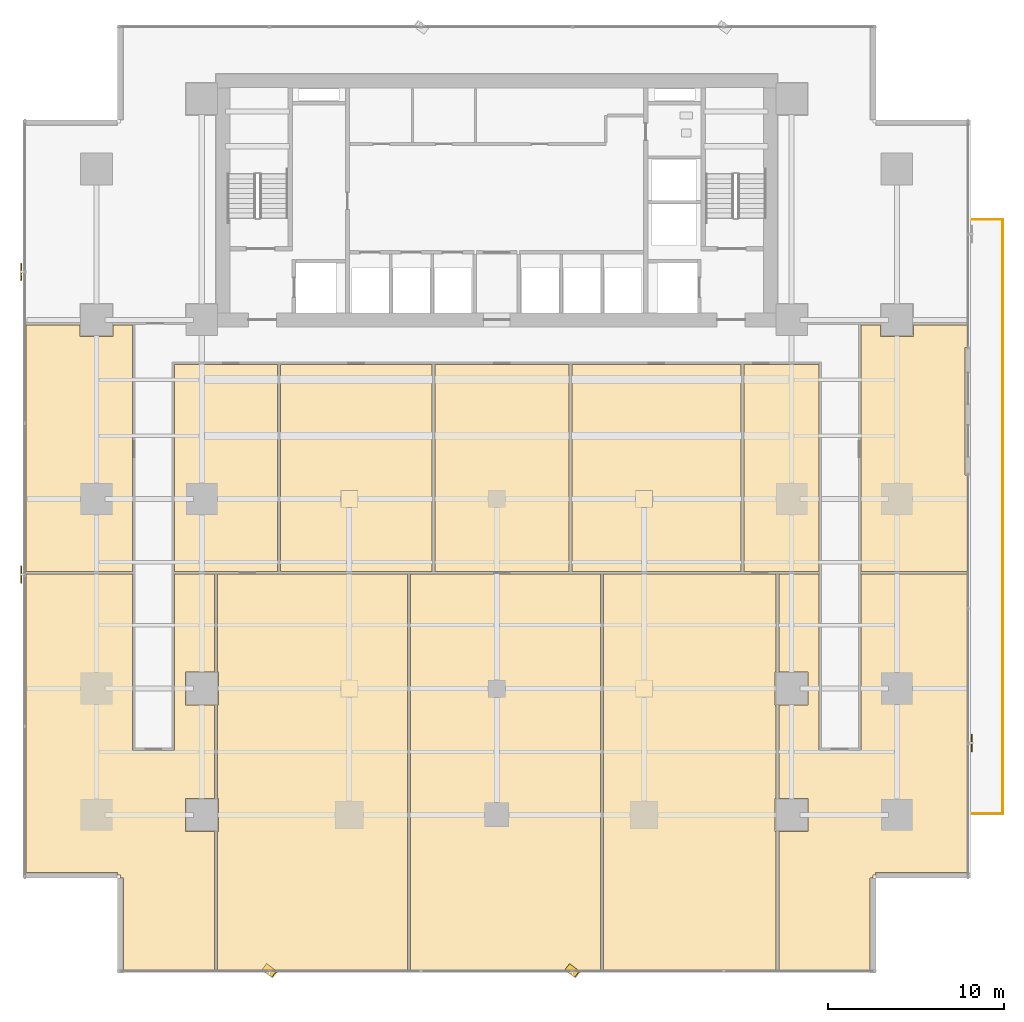
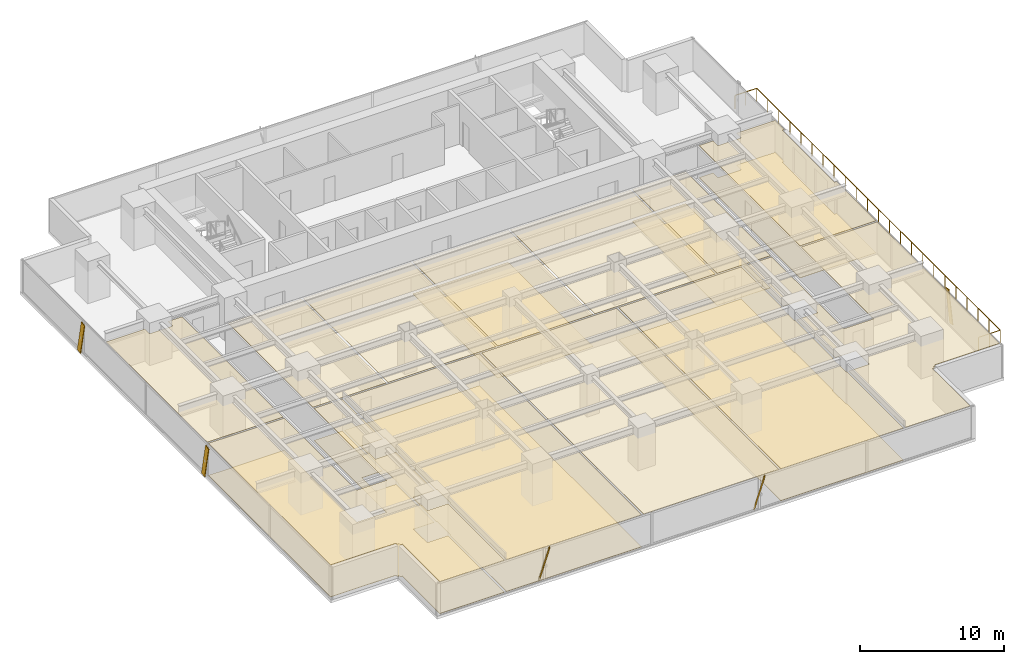
# One storey, part 29 of 33: 18 coverings, 5 shading devices, 1 railing.
"""IFC4 building model written with IfcOpenShell, lengths in metres."""

from ifc_helpers import new_model, si_unit, direction, frame, origin, origin_2d, place, context, subcontext, project, spatial, polyline, rectangle, outline, extrude, source, transform, mapped, material, layer, layer_set, material_profile, profile_set, type_object, element, save


model = new_model("IFC4")

# Units and contexts
model_context = context("Model", 3, precision=1e-05, world=origin(), true_north=direction((0.0, 1.0)))
body_context = subcontext(model_context, "Body", "Model", "MODEL_VIEW")
ifc_project = project(units=[si_unit("LENGTHUNIT", "METRE"), si_unit("AREAUNIT", "SQUARE_METRE"), si_unit("VOLUMEUNIT", "CUBIC_METRE"), si_unit("PLANEANGLEUNIT", "RADIAN"), si_unit("MASSUNIT", "GRAM", prefix="KILO")], contexts=[model_context])

# Site, building, storey
site_placement = place(None, origin())
site = spatial("IfcSite", under=ifc_project, at=site_placement, CompositionType="ELEMENT")
building_placement = place(site_placement, origin())
building = spatial("IfcBuilding", under=site, at=building_placement, Name="Sumidabori Civic Tower", CompositionType="ELEMENT")
storey_placement = place(building_placement, frame((0.0, 0.0, 23.60009765625)))
storey = spatial("IfcBuildingStorey", under=building, at=storey_placement, Name="L05", CompositionType="ELEMENT", Elevation=23.60009765625)

# Coverings
ifc_material_1 = material(Name="Acoustic Mineral Gypsum Ceiling Tile")
ifc_layer_1 = layer(ifc_material_1, 0.034912109375, Name="Acoustic Mineral Gypsum Ceiling Tile")
ifc_layer_set_1 = layer_set([ifc_layer_1], Name="Acoustic Mineral Gypsum Ceiling Tile")
covering_type_1 = type_object("IfcCoveringType", Name="CV-CEIL-AC1", PredefinedType="CEILING", material=ifc_layer_set_1)
covering_1_placement = place(storey_placement, frame((0.0, 0.0, 2.7099609375)))
element("IfcCovering", 1, at=covering_1_placement, inside=storey, type_object=covering_type_1, Name="Room Acoustic Ceiling L05-02", PredefinedType="CEILING", context=body_context, shape_type="SweptSolid", body=[
    extrude(outline(polyline([(-26.830078125, -4.1201171875), (-26.830078125, 9.919921875), (-23.739990234375, 9.919921875), (-23.739990234375, 9.260009765625), (-21.860107421875, 9.260009765625), (-21.860107421875, 9.919921875), (-20.739990234375, 9.919921875), (-20.739990234375, -4.1201171875), (-26.830078125, -4.1201171875)])), origin(), (0.0, 0.0, 1.0), 0.034912109375),
])
covering_2_placement = place(storey_placement, frame((0.0, 0.0, 2.7099609375)))
element("IfcCovering", 2, at=covering_2_placement, inside=storey, type_object=covering_type_1, Name="Room Acoustic Ceiling L05-03", PredefinedType="CEILING", context=body_context, shape_type="SweptSolid", body=[
    extrude(outline(polyline([(20.739990234375, 9.919921875), (21.860107421875, 9.919921875), (21.860107421875, 9.260009765625), (23.739990234375, 9.260009765625), (23.739990234375, 9.919921875), (26.830078125, 9.919921875), (26.830078125, 8.6279296875), (26.672119140625, 8.6279296875), (26.672119140625, 1.3720703125), (26.830078125, 1.3720703125), (26.830078125, -4.1201171875), (20.739990234375, -4.1201171875), (20.739990234375, 9.919921875)])), origin(), (0.0, 0.0, 1.0), 0.034912109375),
])
covering_3_placement = place(storey_placement, frame((0.0, 0.0, 2.7099609375)))
element("IfcCovering", 3, at=covering_3_placement, inside=storey, type_object=covering_type_1, Name="Room Acoustic Ceiling L05-04", PredefinedType="CEILING", context=body_context, shape_type="SweptSolid", body=[
    extrude(outline(polyline([(-18.360107421875, 7.659912109375), (-12.47998046875, 7.659912109375), (-12.47998046875, -4.1201171875), (-18.360107421875, -4.1201171875), (-18.360107421875, 7.659912109375)])), origin(), (0.0, 0.0, 1.0), 0.034912109375),
])
covering_4_placement = place(storey_placement, frame((0.0, 0.0, 2.7099609375)))
element("IfcCovering", 4, at=covering_4_placement, inside=storey, type_object=covering_type_1, Name="Room Acoustic Ceiling L05-05", PredefinedType="CEILING", context=body_context, shape_type="SweptSolid", body=[
    extrude(outline(polyline([(14.080078125, 7.659912109375), (18.360107421875, 7.659912109375), (18.360107421875, -4.1201171875), (14.080078125, -4.1201171875), (14.080078125, 7.659912109375)])), origin(), (0.0, 0.0, 1.0), 0.034912109375),
])
covering_5_placement = place(storey_placement, frame((0.0, 0.0, 2.7099609375)))
element("IfcCovering", 5, at=covering_5_placement, inside=storey, type_object=covering_type_1, Name="Room Acoustic Ceiling L05-06", PredefinedType="CEILING", context=body_context, shape_type="SweptSolid", body=[
    extrude(outline(polyline([(-12.320068359375, 7.659912109375), (-3.679931640625, 7.659912109375), (-3.679931640625, -4.1201171875), (-12.320068359375, -4.1201171875), (-12.320068359375, 7.659912109375)])), origin(), (0.0, 0.0, 1.0), 0.034912109375),
])
covering_6_placement = place(storey_placement, frame((0.0, 0.0, 2.7099609375)))
element("IfcCovering", 6, at=covering_6_placement, inside=storey, type_object=covering_type_1, Name="Room Acoustic Ceiling L05-07", PredefinedType="CEILING", context=body_context, shape_type="SweptSolid", body=[
    extrude(outline(polyline([(-3.52001953125, 7.659912109375), (4.1201171875, 7.659912109375), (4.1201171875, -4.1201171875), (-3.52001953125, -4.1201171875), (-3.52001953125, 7.659912109375)])), origin(), (0.0, 0.0, 1.0), 0.034912109375),
])
covering_7_placement = place(storey_placement, frame((0.0, 0.0, 2.7099609375)))
element("IfcCovering", 7, at=covering_7_placement, inside=storey, type_object=covering_type_1, Name="Room Acoustic Ceiling L05-08", PredefinedType="CEILING", context=body_context, shape_type="SweptSolid", body=[
    extrude(outline(polyline([(4.280029296875, 7.659912109375), (13.919921875, 7.659912109375), (13.919921875, -4.1201171875), (4.280029296875, -4.1201171875), (4.280029296875, 7.659912109375)])), origin(), (0.0, 0.0, 1.0), 0.034912109375),
])
covering_8_placement = place(storey_placement, frame((0.0, 0.0, 2.7099609375)))
element("IfcCovering", 8, at=covering_8_placement, inside=storey, type_object=covering_type_1, Name="Room Acoustic Ceiling L05-09", PredefinedType="CEILING", context=body_context, shape_type="SweptSolid", body=[
    extrude(outline(polyline([(-26.830078125, -21.27197265625), (-26.830078125, -4.280029296875), (-20.739990234375, -4.280029296875), (-20.739990234375, -14.33251953125), (-20.724609375, -14.340087890625), (-18.360107421875, -14.340087890625), (-18.360107421875, -4.280029296875), (-16.080078125, -4.280029296875), (-16.080078125, -9.860107421875), (-17.739990234375, -9.860107421875), (-17.739990234375, -11.739990234375), (-16.080078125, -11.739990234375), (-16.080078125, -17.06005859375), (-17.739990234375, -17.06005859375), (-17.739990234375, -18.93994140625), (-16.080078125, -18.93994140625), (-16.080078125, -26.830078125), (-21.27197265625, -26.830078125), (-21.27197265625, -21.592041015625), (-21.429931640625, -21.592041015625), (-21.429931640625, -21.429931640625), (-21.592041015625, -21.429931640625), (-21.592041015625, -21.27197265625), (-26.830078125, -21.27197265625)])), origin(), (0.0, 0.0, 1.0), 0.034912109375),
])
covering_9_placement = place(storey_placement, frame((0.0, 0.0, 2.7099609375)))
element("IfcCovering", 9, at=covering_9_placement, inside=storey, type_object=covering_type_1, Name="Room Acoustic Ceiling L05-10", PredefinedType="CEILING", context=body_context, shape_type="SweptSolid", body=[
    extrude(outline(polyline([(18.360107421875, -14.340087890625), (20.724609375, -14.340087890625), (20.739990234375, -14.33251953125), (20.739990234375, -4.280029296875), (26.830078125, -4.280029296875), (26.830078125, -21.27197265625), (21.592041015625, -21.27197265625), (21.592041015625, -21.429931640625), (21.429931640625, -21.429931640625), (21.429931640625, -21.592041015625), (21.27197265625, -21.592041015625), (21.27197265625, -26.830078125), (16.080078125, -26.830078125), (16.080078125, -18.93994140625), (17.739990234375, -18.93994140625), (17.739990234375, -17.06005859375), (16.080078125, -17.06005859375), (16.080078125, -11.739990234375), (17.739990234375, -11.739990234375), (17.739990234375, -9.860107421875), (16.080078125, -9.860107421875), (16.080078125, -4.280029296875), (18.360107421875, -4.280029296875), (18.360107421875, -14.340087890625)])), origin(), (0.0, 0.0, 1.0), 0.034912109375),
])
covering_10_placement = place(storey_placement, frame((0.0, 0.0, 2.7099609375)))
element("IfcCovering", 10, at=covering_10_placement, inside=storey, type_object=covering_type_1, Name="Room Acoustic Ceiling L05-11", PredefinedType="CEILING", context=body_context, shape_type="SweptSolid", body=[
    extrude(outline(polyline([(-15.860107421875, -17.06005859375), (-15.919921875, -17.06005859375), (-15.919921875, -11.739990234375), (-15.860107421875, -11.739990234375), (-15.860107421875, -9.860107421875), (-15.919921875, -9.860107421875), (-15.919921875, -4.280029296875), (-5.080078125, -4.280029296875), (-5.080078125, -26.830078125), (-15.919921875, -26.830078125), (-15.919921875, -18.93994140625), (-15.860107421875, -18.93994140625), (-15.860107421875, -17.06005859375)])), origin(), (0.0, 0.0, 1.0), 0.034912109375),
])
covering_11_placement = place(storey_placement, frame((0.0, 0.0, 2.7099609375)))
element("IfcCovering", 11, at=covering_11_placement, inside=storey, type_object=covering_type_1, Name="Room Acoustic Ceiling L05-12", PredefinedType="CEILING", context=body_context, shape_type="SweptSolid", body=[
    extrude(outline(polyline([(5.919921875, -26.830078125), (-4.919921875, -26.830078125), (-4.919921875, -4.280029296875), (5.919921875, -4.280029296875), (5.919921875, -26.830078125)])), origin(), (0.0, 0.0, 1.0), 0.034912109375),
])
covering_12_placement = place(storey_placement, frame((0.0, 0.0, 2.7099609375)))
element("IfcCovering", 12, at=covering_12_placement, inside=storey, type_object=covering_type_1, Name="Room Acoustic Ceiling L05-13", PredefinedType="CEILING", context=body_context, shape_type="SweptSolid", body=[
    extrude(outline(polyline([(15.919921875, -18.93994140625), (15.919921875, -26.830078125), (6.080078125, -26.830078125), (6.080078125, -4.280029296875), (15.919921875, -4.280029296875), (15.919921875, -9.860107421875), (15.860107421875, -9.860107421875), (15.860107421875, -11.739990234375), (15.919921875, -11.739990234375), (15.919921875, -17.06005859375), (15.860107421875, -17.06005859375), (15.860107421875, -18.93994140625), (15.919921875, -18.93994140625)])), origin(), (0.0, 0.0, 1.0), 0.034912109375),
])
ifc_material_2 = material(Name="Honed Terrazzo Tile Flooring")
ifc_layer_2 = layer(ifc_material_2, 0.030029296875, Name="Honed Terrazzo Tile Flooring")
ifc_layer_set_2 = layer_set([ifc_layer_2], Name="Honed Terrazzo Tile Flooring")
covering_type_2 = type_object("IfcCoveringType", Name="CV-FLR-TER", PredefinedType="FLOORING", material=ifc_layer_set_2)
covering_13_placement = place(storey_placement, origin())
element("IfcCovering", 13, at=covering_13_placement, inside=storey, type_object=covering_type_2, Name="Room Terrazzo Floor L05-03", PredefinedType="FLOORING", context=body_context, shape_type="SweptSolid", body=[
    extrude(outline(polyline([(20.739990234375, 9.919921875), (21.860107421875, 9.919921875), (21.860107421875, 9.260009765625), (23.739990234375, 9.260009765625), (23.739990234375, 9.919921875), (26.830078125, 9.919921875), (26.830078125, 8.6279296875), (26.672119140625, 8.6279296875), (26.672119140625, 1.3720703125), (26.830078125, 1.3720703125), (26.830078125, -4.1201171875), (20.739990234375, -4.1201171875), (20.739990234375, 9.919921875)])), origin(), (0.0, 0.0, 1.0), 0.02978515625),
])
covering_14_placement = place(storey_placement, origin())
element("IfcCovering", 14, at=covering_14_placement, inside=storey, type_object=covering_type_2, Name="Room Terrazzo Floor L05-05", PredefinedType="FLOORING", context=body_context, shape_type="SweptSolid", body=[
    extrude(outline(polyline([(14.080078125, 7.659912109375), (18.360107421875, 7.659912109375), (18.360107421875, -4.1201171875), (14.080078125, -4.1201171875), (14.080078125, 7.659912109375)])), origin(), (0.0, 0.0, 1.0), 0.02978515625),
])
covering_15_placement = place(storey_placement, origin())
element("IfcCovering", 15, at=covering_15_placement, inside=storey, type_object=covering_type_2, Name="Room Terrazzo Floor L05-07", PredefinedType="FLOORING", context=body_context, shape_type="SweptSolid", body=[
    extrude(outline(polyline([(-3.52001953125, 7.659912109375), (4.1201171875, 7.659912109375), (4.1201171875, -4.1201171875), (-3.52001953125, -4.1201171875), (-3.52001953125, 7.659912109375)])), origin(), (0.0, 0.0, 1.0), 0.02978515625),
])
covering_16_placement = place(storey_placement, origin())
element("IfcCovering", 16, at=covering_16_placement, inside=storey, type_object=covering_type_2, Name="Room Terrazzo Floor L05-09", PredefinedType="FLOORING", context=body_context, shape_type="SweptSolid", body=[
    extrude(outline(polyline([(-26.830078125, -21.27197265625), (-26.830078125, -4.280029296875), (-20.739990234375, -4.280029296875), (-20.739990234375, -14.33251953125), (-20.724609375, -14.340087890625), (-18.360107421875, -14.340087890625), (-18.360107421875, -4.280029296875), (-16.080078125, -4.280029296875), (-16.080078125, -9.860107421875), (-17.739990234375, -9.860107421875), (-17.739990234375, -11.739990234375), (-16.080078125, -11.739990234375), (-16.080078125, -17.06005859375), (-17.739990234375, -17.06005859375), (-17.739990234375, -18.93994140625), (-16.080078125, -18.93994140625), (-16.080078125, -26.830078125), (-21.27197265625, -26.830078125), (-21.27197265625, -21.592041015625), (-21.429931640625, -21.592041015625), (-21.429931640625, -21.429931640625), (-21.592041015625, -21.429931640625), (-21.592041015625, -21.27197265625), (-26.830078125, -21.27197265625)])), origin(), (0.0, 0.0, 1.0), 0.02978515625),
])
covering_17_placement = place(storey_placement, origin())
element("IfcCovering", 17, at=covering_17_placement, inside=storey, type_object=covering_type_2, Name="Room Terrazzo Floor L05-11", PredefinedType="FLOORING", context=body_context, shape_type="SweptSolid", body=[
    extrude(outline(polyline([(-15.860107421875, -17.06005859375), (-15.919921875, -17.06005859375), (-15.919921875, -11.739990234375), (-15.860107421875, -11.739990234375), (-15.860107421875, -9.860107421875), (-15.919921875, -9.860107421875), (-15.919921875, -4.280029296875), (-5.080078125, -4.280029296875), (-5.080078125, -26.830078125), (-15.919921875, -26.830078125), (-15.919921875, -18.93994140625), (-15.860107421875, -18.93994140625), (-15.860107421875, -17.06005859375)])), origin(), (0.0, 0.0, 1.0), 0.02978515625),
])
covering_18_placement = place(storey_placement, origin())
element("IfcCovering", 18, at=covering_18_placement, inside=storey, type_object=covering_type_2, Name="Room Terrazzo Floor L05-13", PredefinedType="FLOORING", context=body_context, shape_type="SweptSolid", body=[
    extrude(outline(polyline([(15.919921875, -18.93994140625), (15.919921875, -26.830078125), (6.080078125, -26.830078125), (6.080078125, -4.280029296875), (15.919921875, -4.280029296875), (15.919921875, -9.860107421875), (15.860107421875, -9.860107421875), (15.860107421875, -11.739990234375), (15.919921875, -11.739990234375), (15.919921875, -17.06005859375), (15.860107421875, -17.06005859375), (15.860107421875, -18.93994140625), (15.919921875, -18.93994140625)])), origin(), (0.0, 0.0, 1.0), 0.02978515625),
])

# Railing
ifc_material_3 = material(Name="Anodised Bronze Aluminium AW-6063-T6", Category="aluminium")
railing_type = type_object("IfcRailingType", Name="RL-BAL-1150", PredefinedType="BALUSTRADE", material=ifc_material_3)
railing_placement = place(storey_placement, frame((27.080078125, -17.919921875, 0.0)))
element("IfcRailing", 19, at=railing_placement, inside=storey, type_object=railing_type, Name="L05 Setback Terrace Balustrade", PredefinedType="BALUSTRADE", context=body_context, shape_type="SweptSolid", body=[
    extrude(rectangle(XDim=0.048095703125, YDim=0.048095703125, at=origin_2d()), frame((0.0, 0.0, 1.1259765625), z_axis=(1.0, 0.0, 0.0), x_axis=(0.0, 1.0, 0.0)), (0.0, 0.0, 1.0), 1.739990234375),
    extrude(rectangle(XDim=0.048095703125, YDim=0.048095703125, at=origin_2d()), frame((1.739990234375, 0.0, 1.1259765625), z_axis=(0.0, 1.0, 0.0), x_axis=(-1.0, 0.0, 0.0)), (0.0, 0.0, 1.0), 33.83984375),
    extrude(rectangle(XDim=0.048095703125, YDim=0.048095703125, at=origin_2d()), frame((1.739990234375, 33.83984375, 1.1259765625), z_axis=(-1.0, 0.0, 0.0), x_axis=(0.0, -1.0, 0.0)), (0.0, 0.0, 1.0), 1.739990234375),
    extrude(rectangle(XDim=0.0419921875, YDim=0.0419921875, at=origin_2d()), origin(), (0.0, 0.0, 1.0), 1.101806640625),
    extrude(rectangle(XDim=0.0419921875, YDim=0.0419921875, at=origin_2d()), frame((0.8701171875, 0.0, 0.0)), (0.0, 0.0, 1.0), 1.101806640625),
    extrude(rectangle(XDim=0.0419921875, YDim=0.0419921875, at=origin_2d()), frame((1.739990234375, 0.0, 0.0)), (0.0, 0.0, 1.0), 1.101806640625),
    extrude(rectangle(XDim=0.0419921875, YDim=0.0419921875, at=origin_2d()), frame((1.739990234375, 1.5380859375, 0.0)), (0.0, 0.0, 1.0), 1.101806640625),
    extrude(rectangle(XDim=0.0419921875, YDim=0.0419921875, at=origin_2d()), frame((1.739990234375, 3.076416015625, 0.0)), (0.0, 0.0, 1.0), 1.101806640625),
    extrude(rectangle(XDim=0.0419921875, YDim=0.0419921875, at=origin_2d()), frame((1.739990234375, 4.614501953125, 0.0)), (0.0, 0.0, 1.0), 1.101806640625),
    extrude(rectangle(XDim=0.0419921875, YDim=0.0419921875, at=origin_2d()), frame((1.739990234375, 6.152587890625, 0.0)), (0.0, 0.0, 1.0), 1.101806640625),
    extrude(rectangle(XDim=0.0419921875, YDim=0.0419921875, at=origin_2d()), frame((1.739990234375, 7.69091796875, 0.0)), (0.0, 0.0, 1.0), 1.101806640625),
    extrude(rectangle(XDim=0.0419921875, YDim=0.0419921875, at=origin_2d()), frame((1.739990234375, 9.22900390625, 0.0)), (0.0, 0.0, 1.0), 1.101806640625),
    extrude(rectangle(XDim=0.0419921875, YDim=0.0419921875, at=origin_2d()), frame((1.739990234375, 10.767333984375, 0.0)), (0.0, 0.0, 1.0), 1.101806640625),
    extrude(rectangle(XDim=0.0419921875, YDim=0.0419921875, at=origin_2d()), frame((1.739990234375, 12.305419921875, 0.0)), (0.0, 0.0, 1.0), 1.101806640625),
    extrude(rectangle(XDim=0.0419921875, YDim=0.0419921875, at=origin_2d()), frame((1.739990234375, 13.843505859375, 0.0)), (0.0, 0.0, 1.0), 1.101806640625),
    extrude(rectangle(XDim=0.0419921875, YDim=0.0419921875, at=origin_2d()), frame((1.739990234375, 15.3818359375, 0.0)), (0.0, 0.0, 1.0), 1.101806640625),
    extrude(rectangle(XDim=0.0419921875, YDim=0.0419921875, at=origin_2d()), frame((1.739990234375, 16.919921875, 0.0)), (0.0, 0.0, 1.0), 1.101806640625),
    extrude(rectangle(XDim=0.0419921875, YDim=0.0419921875, at=origin_2d()), frame((1.739990234375, 18.4580078125, 0.0)), (0.0, 0.0, 1.0), 1.101806640625),
    extrude(rectangle(XDim=0.0419921875, YDim=0.0419921875, at=origin_2d()), frame((1.739990234375, 19.996337890625, 0.0)), (0.0, 0.0, 1.0), 1.101806640625),
    extrude(rectangle(XDim=0.0419921875, YDim=0.0419921875, at=origin_2d()), frame((1.739990234375, 21.534423828125, 0.0)), (0.0, 0.0, 1.0), 1.101806640625),
    extrude(rectangle(XDim=0.0419921875, YDim=0.0419921875, at=origin_2d()), frame((1.739990234375, 23.072509765625, 0.0)), (0.0, 0.0, 1.0), 1.101806640625),
    extrude(rectangle(XDim=0.0419921875, YDim=0.0419921875, at=origin_2d()), frame((1.739990234375, 24.61083984375, 0.0)), (0.0, 0.0, 1.0), 1.101806640625),
    extrude(rectangle(XDim=0.0419921875, YDim=0.0419921875, at=origin_2d()), frame((1.739990234375, 26.14892578125, 0.0)), (0.0, 0.0, 1.0), 1.101806640625),
    extrude(rectangle(XDim=0.0419921875, YDim=0.0419921875, at=origin_2d()), frame((1.739990234375, 27.687255859375, 0.0)), (0.0, 0.0, 1.0), 1.101806640625),
    extrude(rectangle(XDim=0.0419921875, YDim=0.0419921875, at=origin_2d()), frame((1.739990234375, 29.225341796875, 0.0)), (0.0, 0.0, 1.0), 1.101806640625),
    extrude(rectangle(XDim=0.0419921875, YDim=0.0419921875, at=origin_2d()), frame((1.739990234375, 30.763427734375, 0.0)), (0.0, 0.0, 1.0), 1.101806640625),
    extrude(rectangle(XDim=0.0419921875, YDim=0.0419921875, at=origin_2d()), frame((1.739990234375, 32.3017578125, 0.0)), (0.0, 0.0, 1.0), 1.101806640625),
    extrude(rectangle(XDim=0.0419921875, YDim=0.0419921875, at=origin_2d()), frame((1.739990234375, 33.83984375, 0.0)), (0.0, 0.0, 1.0), 1.101806640625),
    extrude(rectangle(XDim=0.0419921875, YDim=0.0419921875, at=origin_2d()), frame((0.8701171875, 33.83984375, 0.0)), (0.0, 0.0, 1.0), 1.101806640625),
    extrude(rectangle(XDim=0.0419921875, YDim=0.0419921875, at=origin_2d()), frame((0.0, 33.83984375, 0.0)), (0.0, 0.0, 1.0), 1.101806640625),
])

# Shading devices
ifc_material_profile = material_profile(ifc_material_3, rectangle(XDim=0.06005859375, YDim=0.449951171875, at=origin_2d()), Name="BRONZE FIN 450x60")
ifc_profile_set = profile_set([ifc_material_profile], Name="Anodised Bronze Aluminium AW-6063-T6")
shading_device_type = type_object("IfcShadingDeviceType", Name="SH-FIN-450", PredefinedType="USERDEFINED", material=ifc_profile_set)
shared_shape_1 = source(origin(), body_context, "Body", "SweptSolid", [
    extrude(rectangle(XDim=0.06005859375, YDim=0.449951171875, at=origin_2d()), origin(), (0.0, 0.0, 1.0), 2.769775390625),
])
for number, where, z_axis, x_axis, name in (
    (20, (-13.221923828125, -26.669921875, 0.02001953125), (0.20211139135, -0.151693721986, 0.967543280787), (0.773832092044, -0.580795913828, -0.252705361643), "Bronze Anodised Diagonal Fin L05-01"),
    (21, (4.033935546875, -26.669921875, 0.02001953125), (0.202195931323, -0.151691019096, 0.967526041035), (0.773939855131, -0.580623579198, -0.252771358975), "Bronze Anodised Diagonal Fin L05-03"),
):
    element("IfcShadingDevice", number, at=place(storey_placement, frame(where, z_axis=z_axis, x_axis=x_axis)), inside=storey, type_object=shading_device_type, Name=name, ObjectType="FIN", PredefinedType="USERDEFINED", context=body_context, shape_type="MappedRepresentation", body=[
        mapped(shared_shape_1, transform((0.0, 0.0, 0.0), x_axis=(1.0, 0.0, 0.0), y_axis=(0.0, 1.0, 0.0), z_axis=(0.0, 0.0, 1.0), scale=1.0)),
    ])
shared_shape_2 = source(origin(), body_context, "Body", "SweptSolid", [
    extrude(rectangle(XDim=0.06005859375, YDim=0.449951171875, at=origin_2d()), origin(), (0.0, 0.0, 1.0), 2.73779296875),
])
for number, where, z_axis, x_axis, name in (
    (22, (27.06005859375, -14.193359375, 0.02001953125), (0.0, 0.204563143937, 0.978853370093), (-1.0, 0.0, 0.0), "Bronze Anodised Diagonal Fin L05-01"),
    (23, (-27.090087890625, 13.221923828125, 0.02001953125), (0.0, -0.204477700022, 0.978871222477), (-1.0, 0.0, 0.0), "Bronze Anodised Diagonal Fin L05-01"),
    (24, (-27.090087890625, -4.033935546875, 0.02001953125), (0.0, -0.204563143937, 0.978853370093), (-1.0, 0.0, 0.0), "Bronze Anodised Diagonal Fin L05-03"),
):
    element("IfcShadingDevice", number, at=place(storey_placement, frame(where, z_axis=z_axis, x_axis=x_axis)), inside=storey, type_object=shading_device_type, Name=name, ObjectType="FIN", PredefinedType="USERDEFINED", context=body_context, shape_type="MappedRepresentation", body=[
        mapped(shared_shape_2, transform((0.0, 0.0, 0.0), x_axis=(1.0, 0.0, 0.0), y_axis=(0.0, 1.0, 0.0), z_axis=(0.0, 0.0, 1.0), scale=1.0)),
    ])

save(model, "model.ifc")
